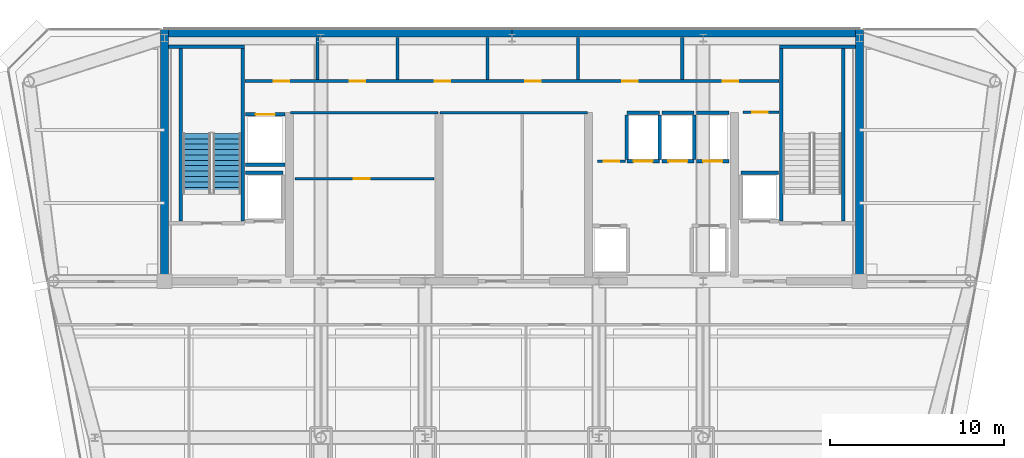
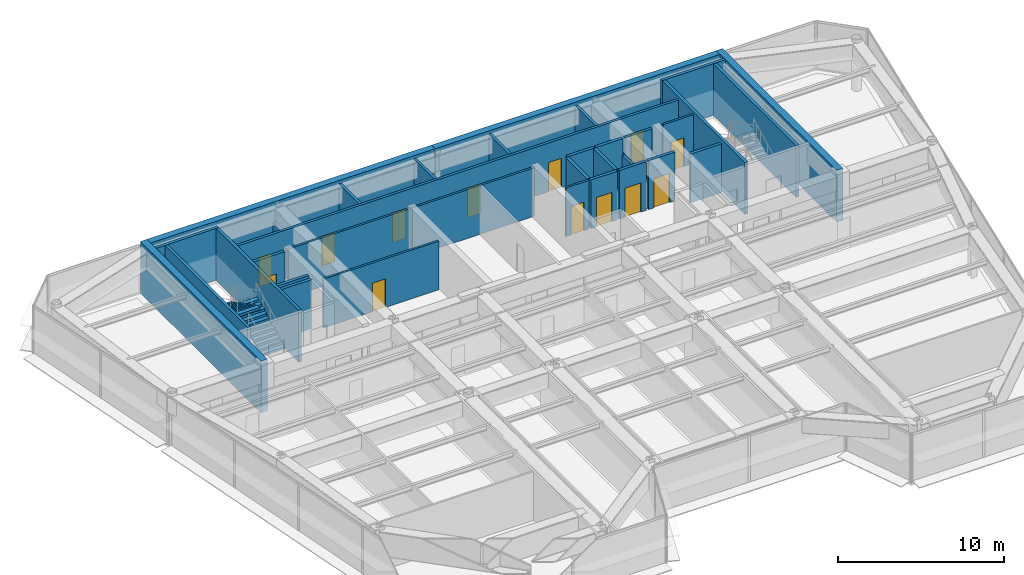
# One storey, part 11 of 18: 34 walls, 13 doors, 2 stair flights, 13 openings, 1 element without a shape of its own.
"""IFC4 building model written with IfcOpenShell, lengths in metres."""

from ifc_helpers import new_model, si_unit, direction, frame, frame_2d, origin, place, context, subcontext, project, spatial, polyline, rectangle, outline, extrude, source, transform, mapped, material, layer, layer_set, type_object, element, fill, aggregate, save


model = new_model("IFC4")

# Units and contexts
model_context = context("Model", 3, precision=1e-05, world=origin(), true_north=direction((0.0, 1.0)))
body_context = subcontext(model_context, "Body", "Model", "MODEL_VIEW")
ifc_project = project(units=[si_unit("LENGTHUNIT", "METRE"), si_unit("AREAUNIT", "SQUARE_METRE"), si_unit("VOLUMEUNIT", "CUBIC_METRE"), si_unit("PLANEANGLEUNIT", "RADIAN"), si_unit("MASSUNIT", "GRAM", prefix="KILO")], contexts=[model_context])

# Site, building, storey
site_placement = place(None, origin())
site = spatial("IfcSite", under=ifc_project, at=site_placement, CompositionType="ELEMENT")
building_placement = place(site_placement, origin())
building = spatial("IfcBuilding", under=site, at=building_placement, Name="Vaeldorn Concourse Tower", CompositionType="ELEMENT")
storey_placement = place(building_placement, frame((0.0, 0.0, 265.0)))
storey = spatial("IfcBuildingStorey", under=building, at=storey_placement, Name="L68", CompositionType="ELEMENT", Elevation=265.0)

# Walls
ifc_material_1 = material(Name="Concrete C50/60", Category="concrete")
ifc_layer_1 = layer(ifc_material_1, 0.449951171875)
ifc_layer_set_1 = layer_set([ifc_layer_1], Name="Concrete C50/60")
wall_type_1 = type_object("IfcWallType", Name="WL-CORE-450", PredefinedType="SHEAR", material=ifc_layer_set_1)
for number, where, z_axis, x_axis, name in (
    (1, (14.22900390625, 50.77490234375, 0.0), (0.0, 0.0, 1.0), (1.0, 0.0, 0.0), "Rear Core Shear Wall L68 N1"),
    (2, (34.001953125, 50.77490234375, 0.0), (0.0, 0.0, 1.0), (1.0, 0.0, 0.0), "Rear Core Shear Wall L68 N2"),
):
    element("IfcWall", number, at=place(storey_placement, frame(where, z_axis=z_axis, x_axis=x_axis)), inside=storey, type_object=wall_type_1, Name=name, PredefinedType="SHEAR", context=body_context, shape_type="SweptSolid", body=[
        extrude(rectangle(XDim=19.76904296875, YDim=0.449951171875, at=frame_2d((9.884521484375, 0.0))), origin(), (0.0, 0.0, 1.0), 3.800048828125),
    ])
for number, where, z_axis, x_axis, name in (
    (3, (14.0, 36.5, 0.0), (0.0, 0.0, 1.0), (0.0, 1.0, 0.0), "Rear Core Shear Wall L68 W1"),
    (4, (54.0, 36.5, 0.0), (0.0, 0.0, 1.0), (0.0, 1.0, 0.0), "Rear Core Shear Wall L68 E1"),
):
    element("IfcWall", number, at=place(storey_placement, frame(where, z_axis=z_axis, x_axis=x_axis)), inside=storey, type_object=wall_type_1, Name=name, PredefinedType="SHEAR", context=body_context, shape_type="SweptSolid", body=[
        extrude(rectangle(XDim=14.5, YDim=0.449951171875, at=frame_2d((7.25, 0.0))), origin(), (0.0, 0.0, 1.0), 3.800048828125),
    ])
ifc_material_2 = material(Name="Gypsum Board Partition", Category="gypsum")
ifc_layer_2 = layer(ifc_material_2, 0.14990234375)
ifc_layer_set_2 = layer_set([ifc_layer_2], Name="Gypsum Board Partition")
wall_type_2 = type_object("IfcWallType", Name="WL-PART-150", PredefinedType="PARTITIONING", material=ifc_layer_set_2)
wall_1_placement = place(storey_placement, frame((21.25, 46.199951171875, 0.0), z_axis=(0.0, 0.0, 1.0), x_axis=(1.0, 0.0, 0.0)))
element("IfcWall", 5, at=wall_1_placement, inside=storey, type_object=wall_type_2, Name="Interior Wall CW-L68-R1N", PredefinedType="PARTITIONING", context=body_context, shape_type="SweptSolid", body=[
    extrude(rectangle(XDim=8.5, YDim=0.14990234375, at=frame_2d((4.25, 0.0))), origin(), (0.0, 0.0, 1.0), 3.580078125),
])

# Wall, opening, door
wall_2_placement = place(storey_placement, frame((21.5, 42.39990234375, 0.0), z_axis=(0.0, 0.0, 1.0), x_axis=(1.0, 0.0, 0.0)))
wall_2 = element("IfcWall", 6, at=wall_2_placement, inside=storey, type_object=wall_type_2, Name="Interior Wall CW-L68-R1M", PredefinedType="PARTITIONING", context=body_context, shape_type="SweptSolid", body=[
    extrude(rectangle(XDim=8.0, YDim=0.14990234375, at=frame_2d((4.0, 0.0))), origin(), (0.0, 0.0, 1.0), 3.580078125),
])
opening_1_placement = place(wall_2_placement, frame((3.39990234375, 0.0, 0.0)))
opening_1 = element("IfcOpeningElement", 7, at=opening_1_placement, cuts=wall_2, Name="Opening D-02", PredefinedType="OPENING", context=body_context, shape_type="SweptSolid", body=[
    extrude(rectangle(XDim=0.89990234375, YDim=2.10009765625, at=frame_2d((0.449951171875, 1.050048828125))), frame((0.0, 0.0849609375, 0.0), z_axis=(0.0, -1.0, 0.0), x_axis=(1.0, 0.0, 0.0)), (0.0, 0.0, 1.0), 0.169921875),
])
ifc_material_3 = material(Name="Fire-Rated Timber Leaf", Category="wood")
door_type_1 = type_object("IfcDoorType", Name="DR-FD30-900", OperationType="NOTDEFINED", PredefinedType="DOOR", material=ifc_material_3)
shared_shape_1 = source(origin(), body_context, "Body", "SweptSolid", [
    extrude(rectangle(XDim=0.89990234375, YDim=2.10009765625, at=frame_2d((0.449951171875, 1.050048828125))), frame((0.0, 0.02490234375, 0.0), z_axis=(0.0, -1.0, 0.0), x_axis=(1.0, 0.0, 0.0)), (0.0, 0.0, 1.0), 0.050048828125),
])
door_1_placement = place(opening_1_placement, origin())
door_1 = element("IfcDoor", 8, at=door_1_placement, inside=storey, type_object=door_type_1, Name="Interior Door DR-L68-R1M", OperationType="SINGLE_SWING_RIGHT", OverallHeight=2.10009765625, OverallWidth=0.89990234375, PredefinedType="DOOR", context=body_context, shape_type="MappedRepresentation", body=[
    mapped(shared_shape_1, transform((0.0, 0.0, 0.0), scale=1.0)),
])
fill(opening_1, door_1)

# Wall
wall_3_placement = place(storey_placement, frame((29.85009765625, 46.199951171875, 0.0), z_axis=(0.0, 0.0, 1.0), x_axis=(1.0, 0.0, 0.0)))
element("IfcWall", 9, at=wall_3_placement, inside=storey, type_object=wall_type_2, Name="Interior Wall CW-L68-R2N", PredefinedType="PARTITIONING", context=body_context, shape_type="SweptSolid", body=[
    extrude(rectangle(XDim=8.5, YDim=0.14990234375, at=frame_2d((4.25, 0.0))), origin(), (0.0, 0.0, 1.0), 3.580078125),
])

# Wall, opening, door
wall_4_placement = place(storey_placement, frame((47.280029296875, 46.219970703125, 0.0), z_axis=(0.0, 0.0, 1.0), x_axis=(1.0, 0.0, 0.0)))
wall_4 = element("IfcWall", 10, at=wall_4_placement, inside=storey, type_object=wall_type_2, Name="Interior Wall CW-L68-CRSE-N", PredefinedType="PARTITIONING", context=body_context, shape_type="SweptSolid", body=[
    extrude(rectangle(XDim=2.099853515625, YDim=0.14990234375, at=frame_2d((1.0498046875, 0.0))), origin(), (0.0, 0.0, 1.0), 3.580078125),
])
opening_2_placement = place(wall_4_placement, frame((0.550048828125, 0.0, 0.0)))
opening_2 = element("IfcOpeningElement", 11, at=opening_2_placement, cuts=wall_4, Name="Opening D-02", PredefinedType="OPENING", context=body_context, shape_type="SweptSolid", body=[
    extrude(rectangle(XDim=0.89990234375, YDim=2.10009765625, at=frame_2d((0.449951171875, 1.050048828125))), frame((0.0, 0.0849609375, 0.0), z_axis=(0.0, -1.0, 0.0), x_axis=(1.0, 0.0, 0.0)), (0.0, 0.0, 1.0), 0.169921875),
])
door_2_placement = place(opening_2_placement, origin())
door_2 = element("IfcDoor", 12, at=door_2_placement, inside=storey, type_object=door_type_1, Name="Interior Door DR-L68-CRSE", OperationType="SINGLE_SWING_RIGHT", OverallHeight=2.10009765625, OverallWidth=0.89990234375, PredefinedType="DOOR", context=body_context, shape_type="MappedRepresentation", body=[
    mapped(shared_shape_1, transform((0.0, 0.0, 0.0), scale=1.0)),
])
fill(opening_2, door_2)

wall_5_placement = place(storey_placement, frame((38.919921875, 43.39990234375, 0.0), z_axis=(0.0, 0.0, 1.0), x_axis=(1.0, 0.0, 0.0)))
wall_5 = element("IfcWall", 13, at=wall_5_placement, inside=storey, type_object=wall_type_2, Name="Interior Wall CW-L68-CCLINK", PredefinedType="PARTITIONING", context=body_context, shape_type="SweptSolid", body=[
    extrude(rectangle(XDim=1.60009765625, YDim=0.14990234375, at=frame_2d((0.800048828125, 0.0))), origin(), (0.0, 0.0, 1.0), 3.580078125),
])
opening_3_placement = place(wall_5_placement, frame((0.35009765625, 0.0, 0.0)))
opening_3 = element("IfcOpeningElement", 14, at=opening_3_placement, cuts=wall_5, Name="Opening D-02", PredefinedType="OPENING", context=body_context, shape_type="SweptSolid", body=[
    extrude(rectangle(XDim=0.89990234375, YDim=2.10009765625, at=frame_2d((0.449951171875, 1.050048828125))), frame((0.0, 0.0849609375, 0.0), z_axis=(0.0, -1.0, 0.0), x_axis=(1.0, 0.0, 0.0)), (0.0, 0.0, 1.0), 0.169921875),
])
door_3_placement = place(opening_3_placement, origin())
door_3 = element("IfcDoor", 15, at=door_3_placement, inside=storey, type_object=door_type_1, Name="Interior Door DR-L68-CCLINK", OperationType="SINGLE_SWING_LEFT", OverallHeight=2.10009765625, OverallWidth=0.89990234375, PredefinedType="DOOR", context=body_context, shape_type="MappedRepresentation", body=[
    mapped(shared_shape_1, transform((0.0, 0.0, 0.0), scale=1.0)),
])
fill(opening_3, door_3)

# Wall, openings, doors
ifc_layer_3 = layer(ifc_material_2, 0.179931640625)
ifc_layer_set_3 = layer_set([ifc_layer_3], Name="Gypsum Board Partition")
wall_type_3 = type_object("IfcWallType", Name="WL-PLUMB-180", PredefinedType="PLUMBINGWALL", material=ifc_layer_set_3)
wall_6_placement = place(storey_placement, frame((18.6201171875, 48.02001953125, 0.0), z_axis=(0.0, 0.0, 1.0), x_axis=(1.0, 0.0, 0.0)))
wall_6 = element("IfcWall", 16, at=wall_6_placement, inside=storey, type_object=wall_type_3, Name="Interior Wall CW-L68-NS3", PredefinedType="PLUMBINGWALL", context=body_context, shape_type="SweptSolid", body=[
    extrude(rectangle(XDim=30.759765625, YDim=0.179931640625, at=frame_2d((15.3798828125, 0.0))), origin(), (0.0, 0.0, 1.0), 3.580078125),
])
opening_4_placement = place(wall_6_placement, frame((1.655029296875, 0.0, 0.0)))
opening_4 = element("IfcOpeningElement", 17, at=opening_4_placement, cuts=wall_6, Name="Opening D-03", PredefinedType="OPENING", context=body_context, shape_type="SweptSolid", body=[
    extrude(rectangle(XDim=0.89990234375, YDim=2.14990234375, at=frame_2d((0.449951171875, 1.074951171875))), frame((0.0, 0.10009765625, 0.0), z_axis=(0.0, -1.0, 0.0), x_axis=(1.0, 0.0, 0.0)), (0.0, 0.0, 1.0), 0.199951171875),
])
opening_5_placement = place(wall_6_placement, frame((6.030029296875, 0.0, 0.0)))
opening_5 = element("IfcOpeningElement", 18, at=opening_5_placement, cuts=wall_6, Name="Opening D-03", PredefinedType="OPENING", context=body_context, shape_type="SweptSolid", body=[
    extrude(rectangle(XDim=0.89990234375, YDim=2.14990234375, at=frame_2d((0.449951171875, 1.074951171875))), frame((0.0, 0.10009765625, 0.0), z_axis=(0.0, -1.0, 0.0), x_axis=(1.0, 0.0, 0.0)), (0.0, 0.0, 1.0), 0.199951171875),
])
opening_6_placement = place(wall_6_placement, frame((10.929931640625, 0.0, 0.0)))
opening_6 = element("IfcOpeningElement", 19, at=opening_6_placement, cuts=wall_6, Name="Opening D-03", PredefinedType="OPENING", context=body_context, shape_type="SweptSolid", body=[
    extrude(rectangle(XDim=0.89990234375, YDim=2.14990234375, at=frame_2d((0.449951171875, 1.074951171875))), frame((0.0, 0.10009765625, 0.0), z_axis=(0.0, -1.0, 0.0), x_axis=(1.0, 0.0, 0.0)), (0.0, 0.0, 1.0), 0.199951171875),
])
opening_7_placement = place(wall_6_placement, frame((16.1298828125, 0.0, 0.0)))
opening_7 = element("IfcOpeningElement", 20, at=opening_7_placement, cuts=wall_6, Name="Opening D-03", PredefinedType="OPENING", context=body_context, shape_type="SweptSolid", body=[
    extrude(rectangle(XDim=0.89990234375, YDim=2.14990234375, at=frame_2d((0.449951171875, 1.074951171875))), frame((0.0, 0.10009765625, 0.0), z_axis=(0.0, -1.0, 0.0), x_axis=(1.0, 0.0, 0.0)), (0.0, 0.0, 1.0), 0.199951171875),
])
opening_8_placement = place(wall_6_placement, frame((21.72998046875, 0.0, 0.0)))
opening_8 = element("IfcOpeningElement", 21, at=opening_8_placement, cuts=wall_6, Name="Opening D-03", PredefinedType="OPENING", context=body_context, shape_type="SweptSolid", body=[
    extrude(rectangle(XDim=0.89990234375, YDim=2.14990234375, at=frame_2d((0.449951171875, 1.074951171875))), frame((0.0, 0.10009765625, 0.0), z_axis=(0.0, -1.0, 0.0), x_axis=(1.0, 0.0, 0.0)), (0.0, 0.0, 1.0), 0.199951171875),
])
opening_9_placement = place(wall_6_placement, frame((27.5048828125, 0.0, 0.0)))
opening_9 = element("IfcOpeningElement", 22, at=opening_9_placement, cuts=wall_6, Name="Opening D-03", PredefinedType="OPENING", context=body_context, shape_type="SweptSolid", body=[
    extrude(rectangle(XDim=0.89990234375, YDim=2.14990234375, at=frame_2d((0.449951171875, 1.074951171875))), frame((0.0, 0.10009765625, 0.0), z_axis=(0.0, -1.0, 0.0), x_axis=(1.0, 0.0, 0.0)), (0.0, 0.0, 1.0), 0.199951171875),
])
ifc_material_4 = material(Name="Acoustic Bronze-Framed Glass Door", Category="glass")
door_type_2 = type_object("IfcDoorType", Name="DR-INT-900", OperationType="NOTDEFINED", PredefinedType="DOOR", material=ifc_material_4)
shared_shape_2 = source(origin(), body_context, "Body", "SweptSolid", [
    extrude(rectangle(XDim=0.89990234375, YDim=2.14990234375, at=frame_2d((0.449951171875, 1.074951171875))), frame((0.0, 0.02490234375, 0.0), z_axis=(0.0, -1.0, 0.0), x_axis=(1.0, 0.0, 0.0)), (0.0, 0.0, 1.0), 0.050048828125),
])
door_4_placement = place(opening_4_placement, origin())
door_4 = element("IfcDoor", 23, at=door_4_placement, inside=storey, type_object=door_type_2, Name="Interior Door DR-L68-CS1", OperationType="SINGLE_SWING_LEFT", OverallHeight=2.14990234375, OverallWidth=0.89990234375, PredefinedType="DOOR", context=body_context, shape_type="MappedRepresentation", body=[
    mapped(shared_shape_2, transform((0.0, 0.0, 0.0), scale=1.0)),
])
fill(opening_4, door_4)
door_5_placement = place(opening_5_placement, origin())
door_5 = element("IfcDoor", 24, at=door_5_placement, inside=storey, type_object=door_type_2, Name="Interior Door DR-L68-CS2", OperationType="SINGLE_SWING_RIGHT", OverallHeight=2.14990234375, OverallWidth=0.89990234375, PredefinedType="DOOR", context=body_context, shape_type="MappedRepresentation", body=[
    mapped(shared_shape_2, transform((0.0, 0.0, 0.0), scale=1.0)),
])
fill(opening_5, door_5)
door_6_placement = place(opening_6_placement, origin())
door_6 = element("IfcDoor", 25, at=door_6_placement, inside=storey, type_object=door_type_2, Name="Interior Door DR-L68-CS3", OperationType="SINGLE_SWING_LEFT", OverallHeight=2.14990234375, OverallWidth=0.89990234375, PredefinedType="DOOR", context=body_context, shape_type="MappedRepresentation", body=[
    mapped(shared_shape_2, transform((0.0, 0.0, 0.0), scale=1.0)),
])
fill(opening_6, door_6)
door_7_placement = place(opening_7_placement, origin())
door_7 = element("IfcDoor", 26, at=door_7_placement, inside=storey, type_object=door_type_2, Name="Interior Door DR-L68-CS4", OperationType="SINGLE_SWING_RIGHT", OverallHeight=2.14990234375, OverallWidth=0.89990234375, PredefinedType="DOOR", context=body_context, shape_type="MappedRepresentation", body=[
    mapped(shared_shape_2, transform((0.0, 0.0, 0.0), scale=1.0)),
])
fill(opening_7, door_7)
door_8_placement = place(opening_8_placement, origin())
door_8 = element("IfcDoor", 27, at=door_8_placement, inside=storey, type_object=door_type_2, Name="Interior Door DR-L68-CS5", OperationType="SINGLE_SWING_LEFT", OverallHeight=2.14990234375, OverallWidth=0.89990234375, PredefinedType="DOOR", context=body_context, shape_type="MappedRepresentation", body=[
    mapped(shared_shape_2, transform((0.0, 0.0, 0.0), scale=1.0)),
])
fill(opening_8, door_8)
door_9_placement = place(opening_9_placement, origin())
door_9 = element("IfcDoor", 28, at=door_9_placement, inside=storey, type_object=door_type_2, Name="Interior Door DR-L68-CS6", OperationType="SINGLE_SWING_RIGHT", OverallHeight=2.14990234375, OverallWidth=0.89990234375, PredefinedType="DOOR", context=body_context, shape_type="MappedRepresentation", body=[
    mapped(shared_shape_2, transform((0.0, 0.0, 0.0), scale=1.0)),
])
fill(opening_9, door_9)

# Walls
wall_7_placement = place(storey_placement, frame((22.800048828125, 48.10009765625, 0.0), z_axis=(0.0, 0.0, 1.0), x_axis=(0.0, 1.0, 0.0)))
element("IfcWall", 29, at=wall_7_placement, inside=storey, type_object=wall_type_3, Name="Interior Wall CW-L68-NDIV1", PredefinedType="PLUMBINGWALL", context=body_context, shape_type="SweptSolid", body=[
    extrude(rectangle(XDim=2.429931640625, YDim=0.179931640625, at=frame_2d((1.21484375, 0.0))), origin(), (0.0, 0.0, 1.0), 2.3701171875),
])
for number, where, z_axis, x_axis, name in (
    (30, (27.39990234375, 48.10009765625, 0.0), (0.0, 0.0, 1.0), (0.0, 1.0, 0.0), "Interior Wall CW-L68-NDIV2"),
    (31, (32.60009765625, 48.10009765625, 0.0), (0.0, 0.0, 1.0), (0.0, 1.0, 0.0), "Interior Wall CW-L68-NDIV3"),
    (32, (37.800048828125, 48.10009765625, 0.0), (0.0, 0.0, 1.0), (0.0, 1.0, 0.0), "Interior Wall CW-L68-NDIV4"),
    (33, (43.800048828125, 48.10009765625, 0.0), (0.0, 0.0, 1.0), (0.0, 1.0, 0.0), "Interior Wall CW-L68-NDIV5"),
):
    element("IfcWall", number, at=place(storey_placement, frame(where, z_axis=z_axis, x_axis=x_axis)), inside=storey, type_object=wall_type_3, Name=name, PredefinedType="PLUMBINGWALL", context=body_context, shape_type="SweptSolid", body=[
        extrude(rectangle(XDim=2.429931640625, YDim=0.179931640625, at=frame_2d((1.21484375, 0.0))), origin(), (0.0, 0.0, 1.0), 3.580078125),
    ])
ifc_layer_4 = layer(ifc_material_1, 0.199951171875)
ifc_layer_set_4 = layer_set([ifc_layer_4], Name="Concrete C50/60")
wall_type_4 = type_object("IfcWallType", Name="WL-SHAFT-200", PredefinedType="SOLIDWALL", material=ifc_layer_set_4)
wall_8_placement = place(storey_placement, frame((14.22509765625, 50.0, 0.0), z_axis=(0.0, 0.0, 1.0), x_axis=(1.0, 0.0, 0.0)))
element("IfcWall", 34, at=wall_8_placement, inside=storey, type_object=wall_type_4, Name="Stair Shaft Wall CW-L68-ST-1-N", PredefinedType="SOLIDWALL", context=body_context, shape_type="SweptSolid", body=[
    extrude(rectangle(XDim=4.375, YDim=0.199951171875, at=frame_2d((2.1875, 0.0))), origin(), (0.0, 0.0, 1.0), 3.800048828125),
])
for number, where, z_axis, x_axis, name in (
    (35, (14.949951171875, 39.9599609375, 0.0), (0.0, 0.0, 1.0), (0.0, 1.0, 0.0), "Stair Shaft Wall CW-L68-ST-1-W"),
    (36, (18.5, 39.9599609375, 0.0), (0.0, 0.0, 1.0), (0.0, 1.0, 0.0), "Stair Shaft Wall CW-L68-ST-1-E"),
):
    element("IfcWall", number, at=place(storey_placement, frame(where, z_axis=z_axis, x_axis=x_axis)), inside=storey, type_object=wall_type_4, Name=name, PredefinedType="SOLIDWALL", context=body_context, shape_type="SweptSolid", body=[
        extrude(rectangle(XDim=9.929931640625, YDim=0.199951171875, at=frame_2d((4.96484375, 0.0))), origin(), (0.0, 0.0, 1.0), 3.800048828125),
    ])
wall_9_placement = place(storey_placement, frame((49.39990234375, 50.0, 0.0), z_axis=(0.0, 0.0, 1.0), x_axis=(1.0, 0.0, 0.0)))
element("IfcWall", 37, at=wall_9_placement, inside=storey, type_object=wall_type_4, Name="Stair Shaft Wall CW-L68-ST-2-N", PredefinedType="SOLIDWALL", context=body_context, shape_type="SweptSolid", body=[
    extrude(rectangle(XDim=4.375, YDim=0.199951171875, at=frame_2d((2.1875, 0.0))), origin(), (0.0, 0.0, 1.0), 3.800048828125),
])
for number, where, z_axis, x_axis, name in (
    (38, (49.5, 39.9599609375, 0.0), (0.0, 0.0, 1.0), (0.0, 1.0, 0.0), "Stair Shaft Wall CW-L68-ST-2-W"),
    (39, (53.050048828125, 39.9599609375, 0.0), (0.0, 0.0, 1.0), (0.0, 1.0, 0.0), "Stair Shaft Wall CW-L68-ST-2-E"),
):
    element("IfcWall", number, at=place(storey_placement, frame(where, z_axis=z_axis, x_axis=x_axis)), inside=storey, type_object=wall_type_4, Name=name, PredefinedType="SOLIDWALL", context=body_context, shape_type="SweptSolid", body=[
        extrude(rectangle(XDim=9.929931640625, YDim=0.199951171875, at=frame_2d((4.96484375, 0.0))), origin(), (0.0, 0.0, 1.0), 3.800048828125),
    ])

# Wall, opening, door
wall_10_placement = place(storey_placement, frame((40.6201171875, 43.39990234375, 0.0), z_axis=(0.0, 0.0, 1.0), x_axis=(1.0, 0.0, 0.0)))
wall_10 = element("IfcWall", 40, at=wall_10_placement, inside=storey, type_object=wall_type_4, Name="Interior Wall CW-L68-LF-LF-15", PredefinedType="SOLIDWALL", context=body_context, shape_type="SweptSolid", body=[
    extrude(rectangle(XDim=1.85986328125, YDim=0.199951171875, at=frame_2d((0.929931640625, 0.0))), origin(), (0.0, 0.0, 1.0), 3.580078125),
])
opening_10_placement = place(wall_10_placement, frame((0.3798828125, 0.0, 0.0)))
opening_10 = element("IfcOpeningElement", 41, at=opening_10_placement, cuts=wall_10, Name="Opening LD-1", PredefinedType="OPENING", context=body_context, shape_type="SweptSolid", body=[
    extrude(rectangle(XDim=1.10009765625, YDim=2.14990234375, at=frame_2d((0.550048828125, 1.074951171875))), frame((0.0, 0.10986328125, 0.0), z_axis=(0.0, -1.0, 0.0), x_axis=(1.0, 0.0, 0.0)), (0.0, 0.0, 1.0), 0.219970703125),
])
ifc_material_5 = material(Name="Anodised Bronze Aluminium", Category="aluminium")
door_type_3 = type_object("IfcDoorType", Name="DR-LIFT-SLIDE-1100", OperationType="DOUBLE_DOOR_SLIDING", PredefinedType="DOOR", material=ifc_material_5)
shared_shape_3 = source(origin(), body_context, "Body", "SweptSolid", [
    extrude(rectangle(XDim=1.10009765625, YDim=2.14990234375, at=frame_2d((0.550048828125, 1.074951171875))), frame((0.0, 0.02490234375, 0.0), z_axis=(0.0, -1.0, 0.0), x_axis=(1.0, 0.0, 0.0)), (0.0, 0.0, 1.0), 0.050048828125),
])
door_10_placement = place(opening_10_placement, origin())
door_10 = element("IfcDoor", 42, at=door_10_placement, inside=storey, type_object=door_type_3, Name="Lift Landing Door LD-L68-LF-15", OperationType="DOUBLE_DOOR_SLIDING", OverallHeight=2.14990234375, OverallWidth=1.10009765625, PredefinedType="DOOR", context=body_context, shape_type="MappedRepresentation", body=[
    mapped(shared_shape_3, transform((0.0, 0.0, 0.0), scale=1.0)),
])
fill(opening_10, door_10)

# Walls
wall_11_placement = place(storey_placement, frame((40.6201171875, 46.199951171875, 0.0), z_axis=(0.0, 0.0, 1.0), x_axis=(1.0, 0.0, 0.0)))
element("IfcWall", 43, at=wall_11_placement, inside=storey, type_object=wall_type_4, Name="Interior Wall CW-L68-LFB-LF-15", PredefinedType="SOLIDWALL", context=body_context, shape_type="SweptSolid", body=[
    extrude(rectangle(XDim=1.85986328125, YDim=0.199951171875, at=frame_2d((0.929931640625, 0.0))), origin(), (0.0, 0.0, 1.0), 3.580078125),
])
for number, where, z_axis, x_axis, name in (
    (44, (40.60009765625, 43.52001953125, 0.0), (0.0, 0.0, 1.0), (0.0, 1.0, 0.0), "Interior Wall CW-L68-LFW-LF-15"),
    (45, (42.5, 43.52001953125, 0.0), (0.0, 0.0, 1.0), (0.0, 1.0, 0.0), "Interior Wall CW-L68-LFE-LF-15"),
):
    element("IfcWall", number, at=place(storey_placement, frame(where, z_axis=z_axis, x_axis=x_axis)), inside=storey, type_object=wall_type_4, Name=name, PredefinedType="SOLIDWALL", context=body_context, shape_type="SweptSolid", body=[
        extrude(rectangle(XDim=2.56005859375, YDim=0.199951171875, at=frame_2d((1.280029296875, 0.0))), origin(), (0.0, 0.0, 1.0), 3.580078125),
    ])

# Wall, opening, door
wall_12_placement = place(storey_placement, frame((42.6201171875, 43.39990234375, 0.0), z_axis=(0.0, 0.0, 1.0), x_axis=(1.0, 0.0, 0.0)))
wall_12 = element("IfcWall", 46, at=wall_12_placement, inside=storey, type_object=wall_type_4, Name="Interior Wall CW-L68-LF-LF-16", PredefinedType="SOLIDWALL", context=body_context, shape_type="SweptSolid", body=[
    extrude(rectangle(XDim=1.85986328125, YDim=0.199951171875, at=frame_2d((0.929931640625, 0.0))), origin(), (0.0, 0.0, 1.0), 3.580078125),
])
opening_11_placement = place(wall_12_placement, frame((0.3798828125, 0.0, 0.0)))
opening_11 = element("IfcOpeningElement", 47, at=opening_11_placement, cuts=wall_12, Name="Opening LD-1", PredefinedType="OPENING", context=body_context, shape_type="SweptSolid", body=[
    extrude(rectangle(XDim=1.10009765625, YDim=2.14990234375, at=frame_2d((0.550048828125, 1.074951171875))), frame((0.0, 0.10986328125, 0.0), z_axis=(0.0, -1.0, 0.0), x_axis=(1.0, 0.0, 0.0)), (0.0, 0.0, 1.0), 0.219970703125),
])
door_11_placement = place(opening_11_placement, origin())
door_11 = element("IfcDoor", 48, at=door_11_placement, inside=storey, type_object=door_type_3, Name="Lift Landing Door LD-L68-LF-16", OperationType="DOUBLE_DOOR_SLIDING", OverallHeight=2.14990234375, OverallWidth=1.10009765625, PredefinedType="DOOR", context=body_context, shape_type="MappedRepresentation", body=[
    mapped(shared_shape_3, transform((0.0, 0.0, 0.0), scale=1.0)),
])
fill(opening_11, door_11)

# Walls
wall_13_placement = place(storey_placement, frame((42.6201171875, 46.199951171875, 0.0), z_axis=(0.0, 0.0, 1.0), x_axis=(1.0, 0.0, 0.0)))
element("IfcWall", 49, at=wall_13_placement, inside=storey, type_object=wall_type_4, Name="Interior Wall CW-L68-LFB-LF-16", PredefinedType="SOLIDWALL", context=body_context, shape_type="SweptSolid", body=[
    extrude(rectangle(XDim=1.85986328125, YDim=0.199951171875, at=frame_2d((0.929931640625, 0.0))), origin(), (0.0, 0.0, 1.0), 3.580078125),
])
wall_14_placement = place(storey_placement, frame((44.5, 43.52001953125, 0.0), z_axis=(0.0, 0.0, 1.0), x_axis=(0.0, 1.0, 0.0)))
element("IfcWall", 50, at=wall_14_placement, inside=storey, type_object=wall_type_4, Name="Interior Wall CW-L68-LFE-LF-16", PredefinedType="SOLIDWALL", context=body_context, shape_type="SweptSolid", body=[
    extrude(rectangle(XDim=2.56005859375, YDim=0.199951171875, at=frame_2d((1.280029296875, 0.0))), origin(), (0.0, 0.0, 1.0), 2.3701171875),
])

# Wall, opening, door
wall_15_placement = place(storey_placement, frame((44.6201171875, 43.39990234375, 0.0), z_axis=(0.0, 0.0, 1.0), x_axis=(1.0, 0.0, 0.0)))
wall_15 = element("IfcWall", 51, at=wall_15_placement, inside=storey, type_object=wall_type_4, Name="Interior Wall CW-L68-LF-LF-17", PredefinedType="SOLIDWALL", context=body_context, shape_type="SweptSolid", body=[
    extrude(rectangle(XDim=1.85986328125, YDim=0.199951171875, at=frame_2d((0.929931640625, 0.0))), origin(), (0.0, 0.0, 1.0), 3.580078125),
])
opening_12_placement = place(wall_15_placement, frame((0.3798828125, 0.0, 0.0)))
opening_12 = element("IfcOpeningElement", 52, at=opening_12_placement, cuts=wall_15, Name="Opening LD-1", PredefinedType="OPENING", context=body_context, shape_type="SweptSolid", body=[
    extrude(rectangle(XDim=1.10009765625, YDim=2.14990234375, at=frame_2d((0.550048828125, 1.074951171875))), frame((0.0, 0.10986328125, 0.0), z_axis=(0.0, -1.0, 0.0), x_axis=(1.0, 0.0, 0.0)), (0.0, 0.0, 1.0), 0.219970703125),
])
door_12_placement = place(opening_12_placement, origin())
door_12 = element("IfcDoor", 53, at=door_12_placement, inside=storey, type_object=door_type_3, Name="Lift Landing Door LD-L68-LF-17", OperationType="DOUBLE_DOOR_SLIDING", OverallHeight=2.14990234375, OverallWidth=1.10009765625, PredefinedType="DOOR", context=body_context, shape_type="MappedRepresentation", body=[
    mapped(shared_shape_3, transform((0.0, 0.0, 0.0), scale=1.0)),
])
fill(opening_12, door_12)

# Wall
wall_16_placement = place(storey_placement, frame((44.6201171875, 46.199951171875, 0.0), z_axis=(0.0, 0.0, 1.0), x_axis=(1.0, 0.0, 0.0)))
element("IfcWall", 54, at=wall_16_placement, inside=storey, type_object=wall_type_4, Name="Interior Wall CW-L68-LFB-LF-17", PredefinedType="SOLIDWALL", context=body_context, shape_type="SweptSolid", body=[
    extrude(rectangle(XDim=1.85986328125, YDim=0.199951171875, at=frame_2d((0.929931640625, 0.0))), origin(), (0.0, 0.0, 1.0), 3.580078125),
])

# Wall, opening, door
wall_17_placement = place(storey_placement, frame((18.669921875, 46.10009765625, 0.0), z_axis=(0.0, 0.0, 1.0), x_axis=(1.0, 0.0, 0.0)))
wall_17 = element("IfcWall", 55, at=wall_17_placement, inside=storey, type_object=wall_type_4, Name="Interior Wall CW-L68-LF-LF-SV1", PredefinedType="SOLIDWALL", context=body_context, shape_type="SweptSolid", body=[
    extrude(rectangle(XDim=2.260009765625, YDim=0.199951171875, at=frame_2d((1.1298828125, 0.0))), origin(), (0.0, 0.0, 1.0), 3.580078125),
])
opening_13_placement = place(wall_17_placement, frame((0.580078125, 0.0, 0.0)))
opening_13 = element("IfcOpeningElement", 56, at=opening_13_placement, cuts=wall_17, Name="Opening LD-1", PredefinedType="OPENING", context=body_context, shape_type="SweptSolid", body=[
    extrude(rectangle(XDim=1.10009765625, YDim=2.14990234375, at=frame_2d((0.550048828125, 1.074951171875))), frame((0.0, 0.10986328125, 0.0), z_axis=(0.0, -1.0, 0.0), x_axis=(1.0, 0.0, 0.0)), (0.0, 0.0, 1.0), 0.219970703125),
])
door_13_placement = place(opening_13_placement, origin())
door_13 = element("IfcDoor", 57, at=door_13_placement, inside=storey, type_object=door_type_3, Name="Lift Landing Door LD-L68-LF-SV1", OperationType="DOUBLE_DOOR_SLIDING", OverallHeight=2.14990234375, OverallWidth=1.10009765625, PredefinedType="DOOR", context=body_context, shape_type="MappedRepresentation", body=[
    mapped(shared_shape_3, transform((0.0, 0.0, 0.0), scale=1.0)),
])
fill(opening_13, door_13)

# Walls
wall_18_placement = place(storey_placement, frame((18.669921875, 43.199951171875, 0.0), z_axis=(0.0, 0.0, 1.0), x_axis=(1.0, 0.0, 0.0)))
element("IfcWall", 58, at=wall_18_placement, inside=storey, type_object=wall_type_4, Name="Interior Wall CW-L68-LFB-LF-SV1", PredefinedType="SOLIDWALL", context=body_context, shape_type="SweptSolid", body=[
    extrude(rectangle(XDim=2.260009765625, YDim=0.199951171875, at=frame_2d((1.1298828125, 0.0))), origin(), (0.0, 0.0, 1.0), 3.580078125),
])
for number, where, z_axis, x_axis, name in (
    (59, (18.669921875, 42.75, 0.0), (0.0, 0.0, 1.0), (1.0, 0.0, 0.0), "Interior Wall CW-L68-LFB-LF-FF1"),
    (60, (47.169921875, 42.75, 0.0), (0.0, 0.0, 1.0), (1.0, 0.0, 0.0), "Interior Wall CW-L68-LFB-LF-FF2"),
):
    element("IfcWall", number, at=place(storey_placement, frame(where, z_axis=z_axis, x_axis=x_axis)), inside=storey, type_object=wall_type_4, Name=name, PredefinedType="SOLIDWALL", context=body_context, shape_type="SweptSolid", body=[
        extrude(rectangle(XDim=2.16015625, YDim=0.199951171875, at=frame_2d((1.080078125, 0.0))), origin(), (0.0, 0.0, 1.0), 3.580078125),
    ])

# Stair, stair flights
ifc_material_6 = material(Name="Precast concrete C40/50", Category="concrete")
stair_type = type_object("IfcStairType", Name="STR-DOG-24x158", PredefinedType="HALF_TURN_STAIR", material=ifc_material_6)
stair_placement = place(storey_placement, origin())
stair = element("IfcStair", 61, at=stair_placement, inside=storey, type_object=stair_type, Name="L68 West Core Exit Stair ST-1", PredefinedType="HALF_TURN_STAIR")
stair_flight_type = type_object("IfcStairFlightType", Name="STF-STR-12x158", PredefinedType="STRAIGHT", material=ifc_material_6)
stair_flight_1_placement = place(storey_placement, frame((17.60009765625, 41.60009765625, 0.0), z_axis=(0.0, 0.0, 1.0), x_axis=(0.0, 1.0, 0.0)))
stair_flight_1 = element("IfcStairFlight", 62, at=stair_flight_1_placement, type_object=stair_flight_type, Name="ST-1 flight 1", NumberOfRisers=12, NumberOfTreads=11, PredefinedType="STRAIGHT", RiserHeight=0.158333333, TreadLength=0.31, context=body_context, shape_type="SweptSolid", body=[
    extrude(outline(polyline([(0.0, 0.0), (0.0, 0.158447265625), (0.31005859375, 0.158447265625), (0.31005859375, 0.316650390625), (0.6201171875, 0.316650390625), (0.6201171875, 0.47509765625), (0.929931640625, 0.47509765625), (0.929931640625, 0.63330078125), (1.239990234375, 0.63330078125), (1.239990234375, 0.791748046875), (1.550048828125, 0.791748046875), (1.550048828125, 0.949951171875), (1.860107421875, 0.949951171875), (1.860107421875, 1.1083984375), (2.169921875, 1.1083984375), (2.169921875, 1.2666015625), (2.47998046875, 1.2666015625), (2.47998046875, 1.425048828125), (2.7900390625, 1.425048828125), (2.7900390625, 1.583251953125), (3.10009765625, 1.583251953125), (3.10009765625, 1.74169921875), (3.409912109375, 1.74169921875), (3.409912109375, 1.89990234375), (3.409912109375, 1.5732421875), (0.32958984375, 0.0), (0.0, 0.0)])), frame((0.0, 0.800048828125, 0.0), z_axis=(0.0, -1.0, 0.0), x_axis=(1.0, 0.0, 0.0)), (0.0, 0.0, 1.0), 1.60009765625),
])
stair_flight_2_placement = place(storey_placement, frame((15.85009765625, 45.010009765625, 1.89990234375), z_axis=(0.0, 0.0, 1.0), x_axis=(0.0, -1.0, 0.0)))
stair_flight_2 = element("IfcStairFlight", 63, at=stair_flight_2_placement, type_object=stair_flight_type, Name="ST-1 flight 2", NumberOfRisers=12, NumberOfTreads=11, PredefinedType="STRAIGHT", RiserHeight=0.158333333, TreadLength=0.31, context=body_context, shape_type="SweptSolid", body=[
    extrude(outline(polyline([(0.0, 0.0), (0.0, 0.158447265625), (0.31005859375, 0.158447265625), (0.31005859375, 0.316650390625), (0.6201171875, 0.316650390625), (0.6201171875, 0.47509765625), (0.929931640625, 0.47509765625), (0.929931640625, 0.63330078125), (1.239990234375, 0.63330078125), (1.239990234375, 0.791748046875), (1.550048828125, 0.791748046875), (1.550048828125, 0.949951171875), (1.860107421875, 0.949951171875), (1.860107421875, 1.1083984375), (2.169921875, 1.1083984375), (2.169921875, 1.2666015625), (2.47998046875, 1.2666015625), (2.47998046875, 1.425048828125), (2.7900390625, 1.425048828125), (2.7900390625, 1.583251953125), (3.10009765625, 1.583251953125), (3.10009765625, 1.74169921875), (3.409912109375, 1.74169921875), (3.409912109375, 1.89990234375), (3.409912109375, 1.5732421875), (0.32958984375, 0.0), (0.0, 0.0)])), frame((0.0, 0.800048828125, 0.0), z_axis=(0.0, -1.0, 0.0), x_axis=(1.0, 0.0, 0.0)), (0.0, 0.0, 1.0), 1.60009765625),
])
aggregate(stair, [stair_flight_1, stair_flight_2])

save(model, "model.ifc")
